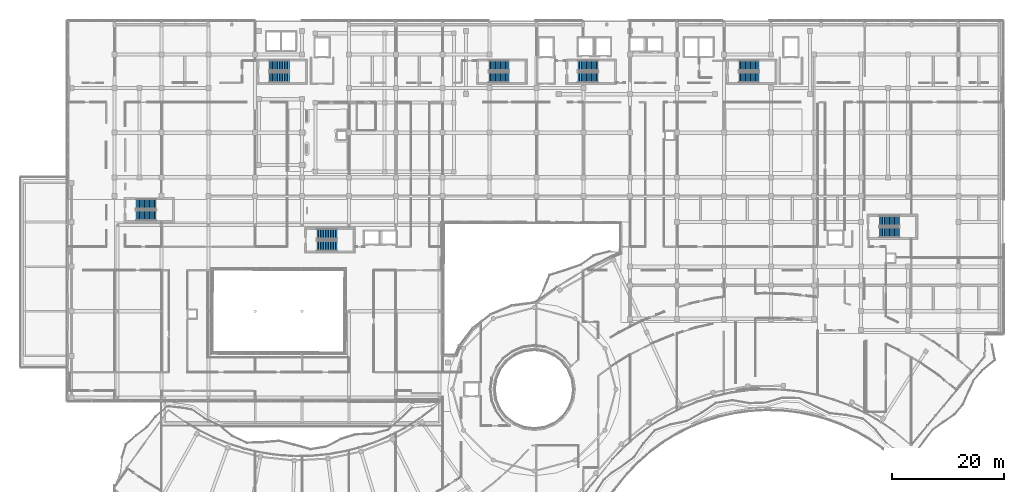
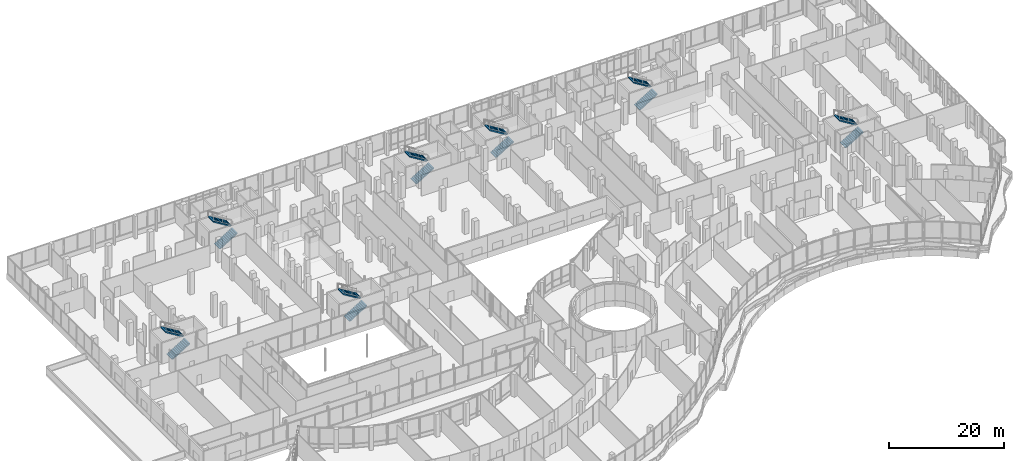
# One storey, part 153 of 168: 14 stair flights, 7 elements without a shape of their own.
"""IFC4 building model written with IfcOpenShell, lengths in metres."""

from ifc_helpers import new_model, si_unit, direction, frame, origin, place, context, subcontext, project, spatial, polyline, outline, extrude, material, layer, layer_set, type_object, element, aggregate, save


model = new_model("IFC4")

# Units and contexts
model_context = context("Model", 3, precision=1e-05, world=origin(), true_north=direction((0.0, 1.0)))
body_context = subcontext(model_context, "Body", "Model", "MODEL_VIEW")
ifc_project = project(units=[si_unit("LENGTHUNIT", "METRE"), si_unit("AREAUNIT", "SQUARE_METRE"), si_unit("VOLUMEUNIT", "CUBIC_METRE"), si_unit("PLANEANGLEUNIT", "RADIAN"), si_unit("MASSUNIT", "GRAM", prefix="KILO")], contexts=[model_context])

# Site, building, storey
site_placement = place(None, origin())
site = spatial("IfcSite", under=ifc_project, at=site_placement, CompositionType="ELEMENT")
building_placement = place(site_placement, origin())
building = spatial("IfcBuilding", under=site, at=building_placement, Name="Selatvlak General Hospital", CompositionType="ELEMENT")
storey_placement = place(building_placement, frame((0.0, 0.0, 5.39990234375)))
storey = spatial("IfcBuildingStorey", under=building, at=storey_placement, Name="L01", CompositionType="ELEMENT", Elevation=5.39990234375)

# Stair, stair flights
ifc_material = material(Name="Precast concrete C40/50", Category="concrete")
stair_type_1 = type_object("IfcStairType", Name="STAIR-ST-01", PredefinedType="HALF_TURN_STAIR", material=ifc_material)
stair_1_placement = place(storey_placement, origin())
stair_1 = element("IfcStair", 1, at=stair_1_placement, inside=storey, type_object=stair_type_1, Name="L01 Protected exit stair ST-01", PredefinedType="HALF_TURN_STAIR")
ifc_layer_1 = layer(ifc_material, 0.179931640625, Name="Precast concrete C40/50", Category="concrete")
ifc_layer_set_1 = layer_set([ifc_layer_1], Name="Precast concrete C40/50")
stair_flight_type_1 = type_object("IfcStairFlightType", Name="FLIGHT-ST-01", PredefinedType="STRAIGHT", material=ifc_layer_set_1)
stair_flight_1_placement = place(storey_placement, frame((50.510009765625, 109.929931640625, 0.0), z_axis=(0.0, 0.0, 1.0), x_axis=(1.0, 0.0, 0.0)))
stair_flight_1 = element("IfcStairFlight", 2, at=stair_flight_1_placement, type_object=stair_flight_type_1, Name="ST-01 flight 1", NumberOfRisers=13, NumberOfTreads=12, PredefinedType="STRAIGHT", RiserHeight=0.184615385, TreadLength=0.3, context=body_context, shape_type="SweptSolid", body=[
    extrude(outline(polyline([(0.0, 0.0), (0.0, 0.1845703125), (0.300048828125, 0.1845703125), (0.300048828125, 0.369140625), (0.60009765625, 0.369140625), (0.60009765625, 0.553955078125), (0.89990234375, 0.553955078125), (0.89990234375, 0.738525390625), (1.199951171875, 0.738525390625), (1.199951171875, 0.923095703125), (1.5, 0.923095703125), (1.5, 1.107666015625), (1.800048828125, 1.107666015625), (1.800048828125, 1.292236328125), (2.10009765625, 1.292236328125), (2.10009765625, 1.476806640625), (2.39990234375, 1.476806640625), (2.39990234375, 1.66162109375), (2.699951171875, 1.66162109375), (2.699951171875, 1.84619140625), (3.0, 1.84619140625), (3.0, 2.03076171875), (3.300048828125, 2.03076171875), (3.300048828125, 2.21533203125), (3.60009765625, 2.21533203125), (3.60009765625, 2.39990234375), (3.60009765625, 2.004150390625), (0.34326171875, 0.0), (0.0, 0.0)])), frame((0.0, 0.93017578125, 0.0), z_axis=(0.0, -1.0, 0.0), x_axis=(1.0, 0.0, 0.0)), (0.0, 0.0, 1.0), 1.860107421875),
])
stair_flight_2_placement = place(storey_placement, frame((54.110107421875, 112.010009765625, 2.400146484375), z_axis=(0.0, 0.0, 1.0), x_axis=(-1.0, 0.0, 0.0)))
stair_flight_2 = element("IfcStairFlight", 3, at=stair_flight_2_placement, type_object=stair_flight_type_1, Name="ST-01 flight 2", NumberOfRisers=13, NumberOfTreads=12, PredefinedType="STRAIGHT", RiserHeight=0.184615385, TreadLength=0.3, context=body_context, shape_type="SweptSolid", body=[
    extrude(outline(polyline([(0.0, 0.0), (0.0, 0.1845703125), (0.300048828125, 0.1845703125), (0.300048828125, 0.369140625), (0.60009765625, 0.369140625), (0.60009765625, 0.553955078125), (0.89990234375, 0.553955078125), (0.89990234375, 0.738525390625), (1.199951171875, 0.738525390625), (1.199951171875, 0.923095703125), (1.5, 0.923095703125), (1.5, 1.107666015625), (1.800048828125, 1.107666015625), (1.800048828125, 1.292236328125), (2.10009765625, 1.292236328125), (2.10009765625, 1.476806640625), (2.39990234375, 1.476806640625), (2.39990234375, 1.66162109375), (2.699951171875, 1.66162109375), (2.699951171875, 1.84619140625), (3.0, 1.84619140625), (3.0, 2.03076171875), (3.300048828125, 2.03076171875), (3.300048828125, 2.21533203125), (3.60009765625, 2.21533203125), (3.60009765625, 2.39990234375), (3.60009765625, 2.004150390625), (0.34326171875, 0.0), (0.0, 0.0)])), frame((0.0, 0.93017578125, 0.0), z_axis=(0.0, -1.0, 0.0), x_axis=(1.0, 0.0, 0.0)), (0.0, 0.0, 1.0), 1.860107421875),
])
aggregate(stair_1, [stair_flight_1, stair_flight_2])

stair_type_2 = type_object("IfcStairType", Name="STAIR-ST-02", PredefinedType="HALF_TURN_STAIR", material=ifc_material)
stair_2_placement = place(storey_placement, origin())
stair_2 = element("IfcStair", 4, at=stair_2_placement, inside=storey, type_object=stair_type_2, Name="L01 Protected exit stair ST-02", PredefinedType="HALF_TURN_STAIR")
ifc_layer_2 = layer(ifc_material, 0.179931640625, Name="Precast concrete C40/50", Category="concrete")
ifc_layer_set_2 = layer_set([ifc_layer_2], Name="Precast concrete C40/50")
stair_flight_type_2 = type_object("IfcStairFlightType", Name="FLIGHT-ST-02", PredefinedType="STRAIGHT", material=ifc_layer_set_2)
stair_flight_3_placement = place(storey_placement, frame((89.860107421875, 109.929931640625, 0.0), z_axis=(0.0, 0.0, 1.0), x_axis=(1.0, 0.0, 0.0)))
stair_flight_3 = element("IfcStairFlight", 5, at=stair_flight_3_placement, type_object=stair_flight_type_2, Name="ST-02 flight 1", NumberOfRisers=13, NumberOfTreads=12, PredefinedType="STRAIGHT", RiserHeight=0.184615385, TreadLength=0.3, context=body_context, shape_type="SweptSolid", body=[
    extrude(outline(polyline([(0.0, 0.0), (0.0, 0.1845703125), (0.300048828125, 0.1845703125), (0.300048828125, 0.369140625), (0.60009765625, 0.369140625), (0.60009765625, 0.553955078125), (0.89990234375, 0.553955078125), (0.89990234375, 0.738525390625), (1.199951171875, 0.738525390625), (1.199951171875, 0.923095703125), (1.5, 0.923095703125), (1.5, 1.107666015625), (1.800048828125, 1.107666015625), (1.800048828125, 1.292236328125), (2.10009765625, 1.292236328125), (2.10009765625, 1.476806640625), (2.39990234375, 1.476806640625), (2.39990234375, 1.66162109375), (2.699951171875, 1.66162109375), (2.699951171875, 1.84619140625), (3.0, 1.84619140625), (3.0, 2.03076171875), (3.300048828125, 2.03076171875), (3.300048828125, 2.21533203125), (3.60009765625, 2.21533203125), (3.60009765625, 2.39990234375), (3.60009765625, 2.004150390625), (0.34326171875, 0.0), (0.0, 0.0)])), frame((0.0, 0.93017578125, 0.0), z_axis=(0.0, -1.0, 0.0), x_axis=(1.0, 0.0, 0.0)), (0.0, 0.0, 1.0), 1.860107421875),
])
stair_flight_4_placement = place(storey_placement, frame((93.4599609375, 112.010009765625, 2.400146484375), z_axis=(0.0, 0.0, 1.0), x_axis=(-1.0, 0.0, 0.0)))
stair_flight_4 = element("IfcStairFlight", 6, at=stair_flight_4_placement, type_object=stair_flight_type_2, Name="ST-02 flight 2", NumberOfRisers=13, NumberOfTreads=12, PredefinedType="STRAIGHT", RiserHeight=0.184615385, TreadLength=0.3, context=body_context, shape_type="SweptSolid", body=[
    extrude(outline(polyline([(0.0, 0.0), (0.0, 0.1845703125), (0.300048828125, 0.1845703125), (0.300048828125, 0.369140625), (0.60009765625, 0.369140625), (0.60009765625, 0.553955078125), (0.89990234375, 0.553955078125), (0.89990234375, 0.738525390625), (1.199951171875, 0.738525390625), (1.199951171875, 0.923095703125), (1.5, 0.923095703125), (1.5, 1.107666015625), (1.800048828125, 1.107666015625), (1.800048828125, 1.292236328125), (2.10009765625, 1.292236328125), (2.10009765625, 1.476806640625), (2.39990234375, 1.476806640625), (2.39990234375, 1.66162109375), (2.699951171875, 1.66162109375), (2.699951171875, 1.84619140625), (3.0, 1.84619140625), (3.0, 2.03076171875), (3.300048828125, 2.03076171875), (3.300048828125, 2.21533203125), (3.60009765625, 2.21533203125), (3.60009765625, 2.39990234375), (3.60009765625, 2.004150390625), (0.34326171875, 0.0), (0.0, 0.0)])), frame((0.0, 0.93017578125, 0.0), z_axis=(0.0, -1.0, 0.0), x_axis=(1.0, 0.0, 0.0)), (0.0, 0.0, 1.0), 1.860107421875),
])
aggregate(stair_2, [stair_flight_3, stair_flight_4])

stair_type_3 = type_object("IfcStairType", Name="STAIR-ST-03", PredefinedType="HALF_TURN_STAIR", material=ifc_material)
stair_3_placement = place(storey_placement, origin())
stair_3 = element("IfcStair", 7, at=stair_3_placement, inside=storey, type_object=stair_type_3, Name="L01 Protected exit stair ST-03", PredefinedType="HALF_TURN_STAIR")
ifc_layer_3 = layer(ifc_material, 0.179931640625, Name="Precast concrete C40/50", Category="concrete")
ifc_layer_set_3 = layer_set([ifc_layer_3], Name="Precast concrete C40/50")
stair_flight_type_3 = type_object("IfcStairFlightType", Name="FLIGHT-ST-03", PredefinedType="STRAIGHT", material=ifc_layer_set_3)
stair_flight_5_placement = place(storey_placement, frame((105.860107421875, 109.929931640625, 0.0), z_axis=(0.0, 0.0, 1.0), x_axis=(1.0, 0.0, 0.0)))
stair_flight_5 = element("IfcStairFlight", 8, at=stair_flight_5_placement, type_object=stair_flight_type_3, Name="ST-03 flight 1", NumberOfRisers=13, NumberOfTreads=12, PredefinedType="STRAIGHT", RiserHeight=0.184615385, TreadLength=0.3, context=body_context, shape_type="SweptSolid", body=[
    extrude(outline(polyline([(0.0, 0.0), (0.0, 0.1845703125), (0.300048828125, 0.1845703125), (0.300048828125, 0.369140625), (0.60009765625, 0.369140625), (0.60009765625, 0.553955078125), (0.89990234375, 0.553955078125), (0.89990234375, 0.738525390625), (1.199951171875, 0.738525390625), (1.199951171875, 0.923095703125), (1.5, 0.923095703125), (1.5, 1.107666015625), (1.800048828125, 1.107666015625), (1.800048828125, 1.292236328125), (2.10009765625, 1.292236328125), (2.10009765625, 1.476806640625), (2.39990234375, 1.476806640625), (2.39990234375, 1.66162109375), (2.699951171875, 1.66162109375), (2.699951171875, 1.84619140625), (3.0, 1.84619140625), (3.0, 2.03076171875), (3.300048828125, 2.03076171875), (3.300048828125, 2.21533203125), (3.60009765625, 2.21533203125), (3.60009765625, 2.39990234375), (3.60009765625, 2.004150390625), (0.34326171875, 0.0), (0.0, 0.0)])), frame((0.0, 0.93017578125, 0.0), z_axis=(0.0, -1.0, 0.0), x_axis=(1.0, 0.0, 0.0)), (0.0, 0.0, 1.0), 1.860107421875),
])
stair_flight_6_placement = place(storey_placement, frame((109.4599609375, 112.010009765625, 2.400146484375), z_axis=(0.0, 0.0, 1.0), x_axis=(-1.0, 0.0, 0.0)))
stair_flight_6 = element("IfcStairFlight", 9, at=stair_flight_6_placement, type_object=stair_flight_type_3, Name="ST-03 flight 2", NumberOfRisers=13, NumberOfTreads=12, PredefinedType="STRAIGHT", RiserHeight=0.184615385, TreadLength=0.3, context=body_context, shape_type="SweptSolid", body=[
    extrude(outline(polyline([(0.0, 0.0), (0.0, 0.1845703125), (0.300048828125, 0.1845703125), (0.300048828125, 0.369140625), (0.60009765625, 0.369140625), (0.60009765625, 0.553955078125), (0.89990234375, 0.553955078125), (0.89990234375, 0.738525390625), (1.199951171875, 0.738525390625), (1.199951171875, 0.923095703125), (1.5, 0.923095703125), (1.5, 1.107666015625), (1.800048828125, 1.107666015625), (1.800048828125, 1.292236328125), (2.10009765625, 1.292236328125), (2.10009765625, 1.476806640625), (2.39990234375, 1.476806640625), (2.39990234375, 1.66162109375), (2.699951171875, 1.66162109375), (2.699951171875, 1.84619140625), (3.0, 1.84619140625), (3.0, 2.03076171875), (3.300048828125, 2.03076171875), (3.300048828125, 2.21533203125), (3.60009765625, 2.21533203125), (3.60009765625, 2.39990234375), (3.60009765625, 2.004150390625), (0.34326171875, 0.0), (0.0, 0.0)])), frame((0.0, 0.93017578125, 0.0), z_axis=(0.0, -1.0, 0.0), x_axis=(1.0, 0.0, 0.0)), (0.0, 0.0, 1.0), 1.860107421875),
])
aggregate(stair_3, [stair_flight_5, stair_flight_6])

stair_type_4 = type_object("IfcStairType", Name="STAIR-ST-04", PredefinedType="HALF_TURN_STAIR", material=ifc_material)
stair_4_placement = place(storey_placement, origin())
stair_4 = element("IfcStair", 10, at=stair_4_placement, inside=storey, type_object=stair_type_4, Name="L01 Protected exit stair ST-04", PredefinedType="HALF_TURN_STAIR")
ifc_layer_4 = layer(ifc_material, 0.179931640625, Name="Precast concrete C40/50", Category="concrete")
ifc_layer_set_4 = layer_set([ifc_layer_4], Name="Precast concrete C40/50")
stair_flight_type_4 = type_object("IfcStairFlightType", Name="FLIGHT-ST-04", PredefinedType="STRAIGHT", material=ifc_layer_set_4)
stair_flight_7_placement = place(storey_placement, frame((134.659912109375, 109.929931640625, 0.0), z_axis=(0.0, 0.0, 1.0), x_axis=(1.0, 0.0, 0.0)))
stair_flight_7 = element("IfcStairFlight", 11, at=stair_flight_7_placement, type_object=stair_flight_type_4, Name="ST-04 flight 1", NumberOfRisers=13, NumberOfTreads=12, PredefinedType="STRAIGHT", RiserHeight=0.184615385, TreadLength=0.3, context=body_context, shape_type="SweptSolid", body=[
    extrude(outline(polyline([(0.0, 0.0), (0.0, 0.1845703125), (0.300048828125, 0.1845703125), (0.300048828125, 0.369140625), (0.60009765625, 0.369140625), (0.60009765625, 0.553955078125), (0.89990234375, 0.553955078125), (0.89990234375, 0.738525390625), (1.199951171875, 0.738525390625), (1.199951171875, 0.923095703125), (1.5, 0.923095703125), (1.5, 1.107666015625), (1.800048828125, 1.107666015625), (1.800048828125, 1.292236328125), (2.10009765625, 1.292236328125), (2.10009765625, 1.476806640625), (2.39990234375, 1.476806640625), (2.39990234375, 1.66162109375), (2.699951171875, 1.66162109375), (2.699951171875, 1.84619140625), (3.0, 1.84619140625), (3.0, 2.03076171875), (3.300048828125, 2.03076171875), (3.300048828125, 2.21533203125), (3.60009765625, 2.21533203125), (3.60009765625, 2.39990234375), (3.60009765625, 2.004150390625), (0.34326171875, 0.0), (0.0, 0.0)])), frame((0.0, 0.93017578125, 0.0), z_axis=(0.0, -1.0, 0.0), x_axis=(1.0, 0.0, 0.0)), (0.0, 0.0, 1.0), 1.860107421875),
])
stair_flight_8_placement = place(storey_placement, frame((138.260009765625, 112.010009765625, 2.400146484375), z_axis=(0.0, 0.0, 1.0), x_axis=(-1.0, 0.0, 0.0)))
stair_flight_8 = element("IfcStairFlight", 12, at=stair_flight_8_placement, type_object=stair_flight_type_4, Name="ST-04 flight 2", NumberOfRisers=13, NumberOfTreads=12, PredefinedType="STRAIGHT", RiserHeight=0.184615385, TreadLength=0.3, context=body_context, shape_type="SweptSolid", body=[
    extrude(outline(polyline([(0.0, 0.0), (0.0, 0.1845703125), (0.300048828125, 0.1845703125), (0.300048828125, 0.369140625), (0.60009765625, 0.369140625), (0.60009765625, 0.553955078125), (0.89990234375, 0.553955078125), (0.89990234375, 0.738525390625), (1.199951171875, 0.738525390625), (1.199951171875, 0.923095703125), (1.5, 0.923095703125), (1.5, 1.107666015625), (1.800048828125, 1.107666015625), (1.800048828125, 1.292236328125), (2.10009765625, 1.292236328125), (2.10009765625, 1.476806640625), (2.39990234375, 1.476806640625), (2.39990234375, 1.66162109375), (2.699951171875, 1.66162109375), (2.699951171875, 1.84619140625), (3.0, 1.84619140625), (3.0, 2.03076171875), (3.300048828125, 2.03076171875), (3.300048828125, 2.21533203125), (3.60009765625, 2.21533203125), (3.60009765625, 2.39990234375), (3.60009765625, 2.004150390625), (0.34326171875, 0.0), (0.0, 0.0)])), frame((0.0, 0.93017578125, 0.0), z_axis=(0.0, -1.0, 0.0), x_axis=(1.0, 0.0, 0.0)), (0.0, 0.0, 1.0), 1.860107421875),
])
aggregate(stair_4, [stair_flight_7, stair_flight_8])

stair_type_5 = type_object("IfcStairType", Name="STAIR-ST-05", PredefinedType="HALF_TURN_STAIR", material=ifc_material)
stair_5_placement = place(storey_placement, origin())
stair_5 = element("IfcStair", 13, at=stair_5_placement, inside=storey, type_object=stair_type_5, Name="L01 Protected exit stair ST-05", PredefinedType="HALF_TURN_STAIR")
ifc_layer_5 = layer(ifc_material, 0.179931640625, Name="Precast concrete C40/50", Category="concrete")
ifc_layer_set_5 = layer_set([ifc_layer_5], Name="Precast concrete C40/50")
stair_flight_type_5 = type_object("IfcStairFlightType", Name="FLIGHT-ST-05", PredefinedType="STRAIGHT", material=ifc_layer_set_5)
stair_flight_9_placement = place(storey_placement, frame((59.06005859375, 79.72998046875, 0.0), z_axis=(0.0, 0.0, 1.0), x_axis=(1.0, 0.0, 0.0)))
stair_flight_9 = element("IfcStairFlight", 14, at=stair_flight_9_placement, type_object=stair_flight_type_5, Name="ST-05 flight 1", NumberOfRisers=13, NumberOfTreads=12, PredefinedType="STRAIGHT", RiserHeight=0.184615385, TreadLength=0.3, context=body_context, shape_type="SweptSolid", body=[
    extrude(outline(polyline([(0.0, 0.0), (0.0, 0.1845703125), (0.300048828125, 0.1845703125), (0.300048828125, 0.369140625), (0.60009765625, 0.369140625), (0.60009765625, 0.553955078125), (0.89990234375, 0.553955078125), (0.89990234375, 0.738525390625), (1.199951171875, 0.738525390625), (1.199951171875, 0.923095703125), (1.5, 0.923095703125), (1.5, 1.107666015625), (1.800048828125, 1.107666015625), (1.800048828125, 1.292236328125), (2.10009765625, 1.292236328125), (2.10009765625, 1.476806640625), (2.39990234375, 1.476806640625), (2.39990234375, 1.66162109375), (2.699951171875, 1.66162109375), (2.699951171875, 1.84619140625), (3.0, 1.84619140625), (3.0, 2.03076171875), (3.300048828125, 2.03076171875), (3.300048828125, 2.21533203125), (3.60009765625, 2.21533203125), (3.60009765625, 2.39990234375), (3.60009765625, 2.004150390625), (0.34326171875, 0.0), (0.0, 0.0)])), frame((0.0, 0.93017578125, 0.0), z_axis=(0.0, -1.0, 0.0), x_axis=(1.0, 0.0, 0.0)), (0.0, 0.0, 1.0), 1.860107421875),
])
stair_flight_10_placement = place(storey_placement, frame((62.659912109375, 81.81005859375, 2.400146484375), z_axis=(0.0, 0.0, 1.0), x_axis=(-1.0, 0.0, 0.0)))
stair_flight_10 = element("IfcStairFlight", 15, at=stair_flight_10_placement, type_object=stair_flight_type_5, Name="ST-05 flight 2", NumberOfRisers=13, NumberOfTreads=12, PredefinedType="STRAIGHT", RiserHeight=0.184615385, TreadLength=0.3, context=body_context, shape_type="SweptSolid", body=[
    extrude(outline(polyline([(0.0, 0.0), (0.0, 0.1845703125), (0.300048828125, 0.1845703125), (0.300048828125, 0.369140625), (0.60009765625, 0.369140625), (0.60009765625, 0.553955078125), (0.89990234375, 0.553955078125), (0.89990234375, 0.738525390625), (1.199951171875, 0.738525390625), (1.199951171875, 0.923095703125), (1.5, 0.923095703125), (1.5, 1.107666015625), (1.800048828125, 1.107666015625), (1.800048828125, 1.292236328125), (2.10009765625, 1.292236328125), (2.10009765625, 1.476806640625), (2.39990234375, 1.476806640625), (2.39990234375, 1.66162109375), (2.699951171875, 1.66162109375), (2.699951171875, 1.84619140625), (3.0, 1.84619140625), (3.0, 2.03076171875), (3.300048828125, 2.03076171875), (3.300048828125, 2.21533203125), (3.60009765625, 2.21533203125), (3.60009765625, 2.39990234375), (3.60009765625, 2.004150390625), (0.34326171875, 0.0), (0.0, 0.0)])), frame((0.0, 0.93017578125, 0.0), z_axis=(0.0, -1.0, 0.0), x_axis=(1.0, 0.0, 0.0)), (0.0, 0.0, 1.0), 1.860107421875),
])
aggregate(stair_5, [stair_flight_9, stair_flight_10])

stair_type_6 = type_object("IfcStairType", Name="STAIR-ST-06", PredefinedType="HALF_TURN_STAIR", material=ifc_material)
stair_6_placement = place(storey_placement, origin())
stair_6 = element("IfcStair", 16, at=stair_6_placement, inside=storey, type_object=stair_type_6, Name="L01 Protected exit stair ST-06", PredefinedType="HALF_TURN_STAIR")
ifc_layer_6 = layer(ifc_material, 0.179931640625, Name="Precast concrete C40/50", Category="concrete")
ifc_layer_set_6 = layer_set([ifc_layer_6], Name="Precast concrete C40/50")
stair_flight_type_6 = type_object("IfcStairFlightType", Name="FLIGHT-ST-06", PredefinedType="STRAIGHT", material=ifc_layer_set_6)
stair_flight_11_placement = place(storey_placement, frame((159.860107421875, 82.1298828125, 0.0), z_axis=(0.0, 0.0, 1.0), x_axis=(1.0, 0.0, 0.0)))
stair_flight_11 = element("IfcStairFlight", 17, at=stair_flight_11_placement, type_object=stair_flight_type_6, Name="ST-06 flight 1", NumberOfRisers=13, NumberOfTreads=12, PredefinedType="STRAIGHT", RiserHeight=0.184615385, TreadLength=0.3, context=body_context, shape_type="SweptSolid", body=[
    extrude(outline(polyline([(0.0, 0.0), (0.0, 0.1845703125), (0.300048828125, 0.1845703125), (0.300048828125, 0.369140625), (0.60009765625, 0.369140625), (0.60009765625, 0.553955078125), (0.89990234375, 0.553955078125), (0.89990234375, 0.738525390625), (1.199951171875, 0.738525390625), (1.199951171875, 0.923095703125), (1.5, 0.923095703125), (1.5, 1.107666015625), (1.800048828125, 1.107666015625), (1.800048828125, 1.292236328125), (2.10009765625, 1.292236328125), (2.10009765625, 1.476806640625), (2.39990234375, 1.476806640625), (2.39990234375, 1.66162109375), (2.699951171875, 1.66162109375), (2.699951171875, 1.84619140625), (3.0, 1.84619140625), (3.0, 2.03076171875), (3.300048828125, 2.03076171875), (3.300048828125, 2.21533203125), (3.60009765625, 2.21533203125), (3.60009765625, 2.39990234375), (3.60009765625, 2.004150390625), (0.34326171875, 0.0), (0.0, 0.0)])), frame((0.0, 0.93017578125, 0.0), z_axis=(0.0, -1.0, 0.0), x_axis=(1.0, 0.0, 0.0)), (0.0, 0.0, 1.0), 1.860107421875),
])
stair_flight_12_placement = place(storey_placement, frame((163.4599609375, 84.2099609375, 2.400146484375), z_axis=(0.0, 0.0, 1.0), x_axis=(-1.0, 0.0, 0.0)))
stair_flight_12 = element("IfcStairFlight", 18, at=stair_flight_12_placement, type_object=stair_flight_type_6, Name="ST-06 flight 2", NumberOfRisers=13, NumberOfTreads=12, PredefinedType="STRAIGHT", RiserHeight=0.184615385, TreadLength=0.3, context=body_context, shape_type="SweptSolid", body=[
    extrude(outline(polyline([(0.0, 0.0), (0.0, 0.1845703125), (0.300048828125, 0.1845703125), (0.300048828125, 0.369140625), (0.60009765625, 0.369140625), (0.60009765625, 0.553955078125), (0.89990234375, 0.553955078125), (0.89990234375, 0.738525390625), (1.199951171875, 0.738525390625), (1.199951171875, 0.923095703125), (1.5, 0.923095703125), (1.5, 1.107666015625), (1.800048828125, 1.107666015625), (1.800048828125, 1.292236328125), (2.10009765625, 1.292236328125), (2.10009765625, 1.476806640625), (2.39990234375, 1.476806640625), (2.39990234375, 1.66162109375), (2.699951171875, 1.66162109375), (2.699951171875, 1.84619140625), (3.0, 1.84619140625), (3.0, 2.03076171875), (3.300048828125, 2.03076171875), (3.300048828125, 2.21533203125), (3.60009765625, 2.21533203125), (3.60009765625, 2.39990234375), (3.60009765625, 2.004150390625), (0.34326171875, 0.0), (0.0, 0.0)])), frame((0.0, 0.93017578125, 0.0), z_axis=(0.0, -1.0, 0.0), x_axis=(1.0, 0.0, 0.0)), (0.0, 0.0, 1.0), 1.860107421875),
])
aggregate(stair_6, [stair_flight_11, stair_flight_12])

stair_type_7 = type_object("IfcStairType", Name="STAIR-ST-07", PredefinedType="HALF_TURN_STAIR", material=ifc_material)
stair_7_placement = place(storey_placement, origin())
stair_7 = element("IfcStair", 19, at=stair_7_placement, inside=storey, type_object=stair_type_7, Name="L01 Protected exit stair ST-07", PredefinedType="HALF_TURN_STAIR")
ifc_layer_7 = layer(ifc_material, 0.179931640625, Name="Precast concrete C40/50", Category="concrete")
ifc_layer_set_7 = layer_set([ifc_layer_7], Name="Precast concrete C40/50")
stair_flight_type_7 = type_object("IfcStairFlightType", Name="FLIGHT-ST-07", PredefinedType="STRAIGHT", material=ifc_layer_set_7)
stair_flight_13_placement = place(storey_placement, frame((26.659912109375, 85.1298828125, 0.0), z_axis=(0.0, 0.0, 1.0), x_axis=(1.0, 0.0, 0.0)))
stair_flight_13 = element("IfcStairFlight", 20, at=stair_flight_13_placement, type_object=stair_flight_type_7, Name="ST-07 flight 1", NumberOfRisers=13, NumberOfTreads=12, PredefinedType="STRAIGHT", RiserHeight=0.184615385, TreadLength=0.3, context=body_context, shape_type="SweptSolid", body=[
    extrude(outline(polyline([(0.0, 0.0), (0.0, 0.1845703125), (0.300048828125, 0.1845703125), (0.300048828125, 0.369140625), (0.60009765625, 0.369140625), (0.60009765625, 0.553955078125), (0.89990234375, 0.553955078125), (0.89990234375, 0.738525390625), (1.199951171875, 0.738525390625), (1.199951171875, 0.923095703125), (1.5, 0.923095703125), (1.5, 1.107666015625), (1.800048828125, 1.107666015625), (1.800048828125, 1.292236328125), (2.10009765625, 1.292236328125), (2.10009765625, 1.476806640625), (2.39990234375, 1.476806640625), (2.39990234375, 1.66162109375), (2.699951171875, 1.66162109375), (2.699951171875, 1.84619140625), (3.0, 1.84619140625), (3.0, 2.03076171875), (3.300048828125, 2.03076171875), (3.300048828125, 2.21533203125), (3.60009765625, 2.21533203125), (3.60009765625, 2.39990234375), (3.60009765625, 2.004150390625), (0.34326171875, 0.0), (0.0, 0.0)])), frame((0.0, 0.93017578125, 0.0), z_axis=(0.0, -1.0, 0.0), x_axis=(1.0, 0.0, 0.0)), (0.0, 0.0, 1.0), 1.860107421875),
])
stair_flight_14_placement = place(storey_placement, frame((30.260009765625, 87.2099609375, 2.400146484375), z_axis=(0.0, 0.0, 1.0), x_axis=(-1.0, 0.0, 0.0)))
stair_flight_14 = element("IfcStairFlight", 21, at=stair_flight_14_placement, type_object=stair_flight_type_7, Name="ST-07 flight 2", NumberOfRisers=13, NumberOfTreads=12, PredefinedType="STRAIGHT", RiserHeight=0.184615385, TreadLength=0.3, context=body_context, shape_type="SweptSolid", body=[
    extrude(outline(polyline([(0.0, 0.0), (0.0, 0.1845703125), (0.300048828125, 0.1845703125), (0.300048828125, 0.369140625), (0.60009765625, 0.369140625), (0.60009765625, 0.553955078125), (0.89990234375, 0.553955078125), (0.89990234375, 0.738525390625), (1.199951171875, 0.738525390625), (1.199951171875, 0.923095703125), (1.5, 0.923095703125), (1.5, 1.107666015625), (1.800048828125, 1.107666015625), (1.800048828125, 1.292236328125), (2.10009765625, 1.292236328125), (2.10009765625, 1.476806640625), (2.39990234375, 1.476806640625), (2.39990234375, 1.66162109375), (2.699951171875, 1.66162109375), (2.699951171875, 1.84619140625), (3.0, 1.84619140625), (3.0, 2.03076171875), (3.300048828125, 2.03076171875), (3.300048828125, 2.21533203125), (3.60009765625, 2.21533203125), (3.60009765625, 2.39990234375), (3.60009765625, 2.004150390625), (0.34326171875, 0.0), (0.0, 0.0)])), frame((0.0, 0.93017578125, 0.0), z_axis=(0.0, -1.0, 0.0), x_axis=(1.0, 0.0, 0.0)), (0.0, 0.0, 1.0), 1.860107421875),
])
aggregate(stair_7, [stair_flight_13, stair_flight_14])

save(model, "model.ifc")
